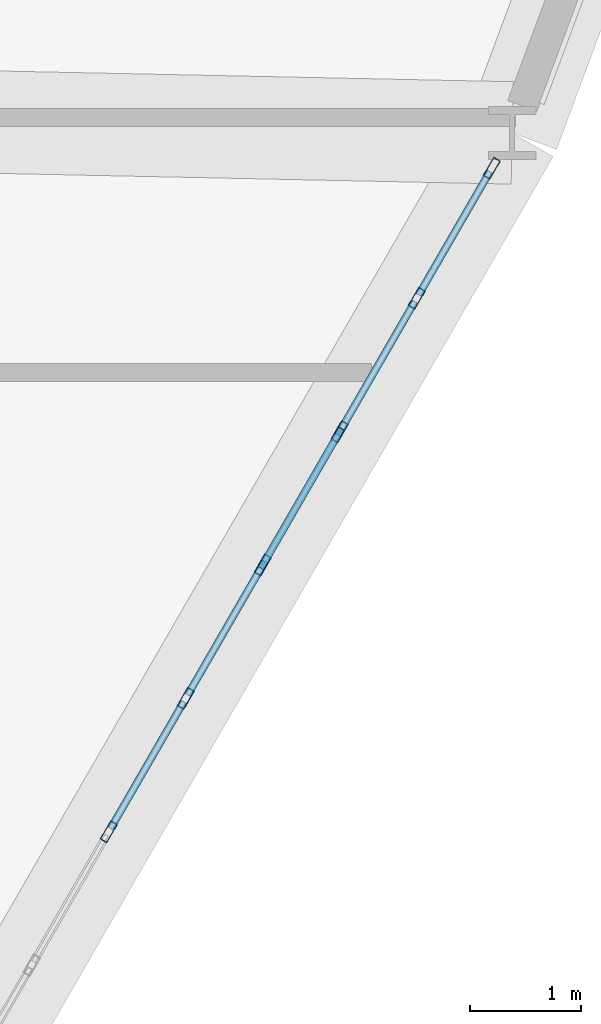
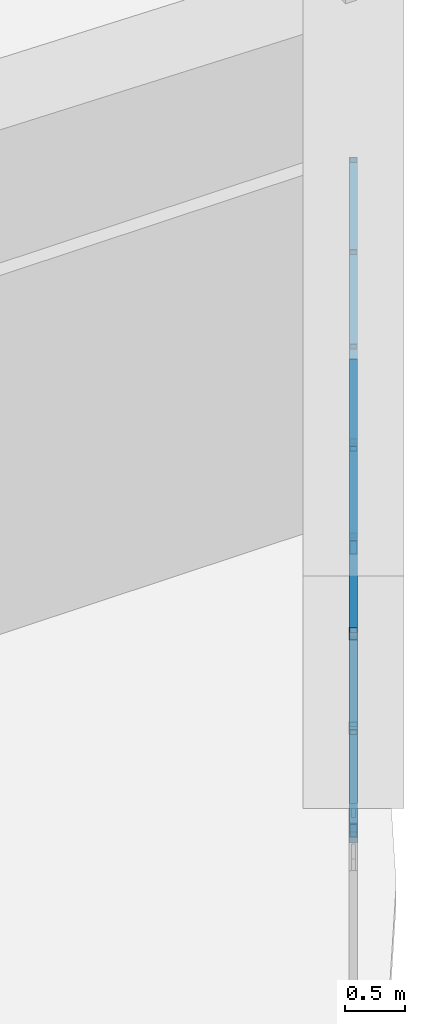
# One storey, part 9 of 20: 17 members, 1 element without a shape of its own.
"""IFC4 building model written with IfcOpenShell, lengths in metres."""

from ifc_helpers import new_model, si_unit, derived_unit, direction, frame, origin, origin_2d, place, context, subcontext, project, spatial, hollow_rectangle, extrude, source, transform, mapped, material, layer, layer_set, material_profile, profile_set, type_object, element, aggregate, save


model = new_model("IFC4")

# Units and contexts
model_context = context("Model", 3, precision=1e-05, world=origin(), true_north=direction((0.0, 1.0)))
body_context = subcontext(model_context, "Body", "Model", "MODEL_VIEW")
ifc_project = project(units=[si_unit("LENGTHUNIT", "METRE"), si_unit("AREAUNIT", "SQUARE_METRE"), si_unit("VOLUMEUNIT", "CUBIC_METRE"), si_unit("PLANEANGLEUNIT", "RADIAN"), si_unit("MASSUNIT", "GRAM", prefix="KILO"), derived_unit("THERMALTRANSMITTANCEUNIT", [(si_unit("POWERUNIT", "WATT"), 1), (si_unit("LENGTHUNIT", "METRE"), -2), (si_unit("THERMODYNAMICTEMPERATUREUNIT", "KELVIN"), -1)])], contexts=[model_context])

# Site, building, storey
site_placement = place(None, origin())
site = spatial("IfcSite", under=ifc_project, at=site_placement, CompositionType="ELEMENT")
building_placement = place(site_placement, origin())
building = spatial("IfcBuilding", under=site, at=building_placement, Name="Korsvarv Bourse and Concert Hall", CompositionType="ELEMENT")
storey_placement = place(building_placement, frame((0.0, 0.0, 35.699951171875)))
storey = spatial("IfcBuildingStorey", under=building, at=storey_placement, Name="L08", CompositionType="ELEMENT", Elevation=35.699951171875)

# Curtain wall, members
ifc_material_1 = material(Name="Anodised aluminium and triple low-E glazing", Category="glass")
ifc_layer = layer(ifc_material_1, 0.219970703125)
ifc_layer_set = layer_set([ifc_layer], Name="Anodised aluminium and triple low-E glazing")
curtain_wall_type = type_object("IfcCurtainWallType", Name="CW-SYS-1", PredefinedType="NOTDEFINED", material=ifc_layer_set)
curtain_wall_placement = place(storey_placement, origin())
curtain_wall = element("IfcCurtainWall", 1, at=curtain_wall_placement, inside=storey, type_object=curtain_wall_type, Name="L08 CW1 curtain wall CW-L08-F11", PredefinedType="NOTDEFINED")
ifc_material_2 = material(Name="Extruded aluminium EN AW-6063 T66", Category="aluminium")
ifc_material_profile_1 = material_profile(ifc_material_2, hollow_rectangle(XDim=0.070068359375, YDim=0.18994140625, WallThickness=0.0048828125, at=origin_2d()), Name="ALU-M 70x190")
ifc_profile_set_1 = profile_set([ifc_material_profile_1], Name="Extruded aluminium EN AW-6063 T66")
member_type_1 = type_object("IfcMemberType", Name="CWM-190", PredefinedType="MULLION", material=ifc_profile_set_1)
shared_shape_1 = source(origin(), body_context, "Body", "SweptSolid", [
    extrude(hollow_rectangle(XDim=0.070068359375, YDim=0.18994140625, WallThickness=0.0048828125, at=origin_2d()), origin(), (0.0, 0.0, 1.0), 2.080078125),
])
member_1_placement = place(storey_placement, frame((54.880126953125, 25.898193359375, 0.0), z_axis=(0.0, 0.0, 1.0), x_axis=(-0.866025616828, 0.499999630998, 0.0)))
member_1 = element("IfcMember", 2, at=member_1_placement, type_object=member_type_1, Name="CW1 mullion 7", PredefinedType="MULLION", context=body_context, shape_type="MappedRepresentation", body=[
    mapped(shared_shape_1, transform((0.0, 0.0, 0.0), scale=1.0)),
])
member_2_placement = place(storey_placement, frame((55.572021484375, 27.096435546875, 0.0), z_axis=(0.0, 0.0, 1.0), x_axis=(-0.866025616828, 0.499999630998, 0.0)))
member_2 = element("IfcMember", 3, at=member_2_placement, type_object=member_type_1, Name="CW1 mullion 8", PredefinedType="MULLION", context=body_context, shape_type="MappedRepresentation", body=[
    mapped(shared_shape_1, transform((0.0, 0.0, 0.0), scale=1.0)),
])
member_3_placement = place(storey_placement, frame((56.263671875, 28.294677734375, 0.0), z_axis=(0.0, 0.0, 1.0), x_axis=(-0.866025616828, 0.499999630998, 0.0)))
member_3 = element("IfcMember", 4, at=member_3_placement, type_object=member_type_1, Name="CW1 mullion 9", PredefinedType="MULLION", context=body_context, shape_type="MappedRepresentation", body=[
    mapped(shared_shape_1, transform((0.0, 0.0, 0.0), scale=1.0)),
])
member_4_placement = place(storey_placement, frame((56.95556640625, 29.492919921875, 0.0), z_axis=(0.0, 0.0, 1.0), x_axis=(-0.866025616828, 0.499999630998, 0.0)))
member_4 = element("IfcMember", 5, at=member_4_placement, type_object=member_type_1, Name="CW1 mullion 10", PredefinedType="MULLION", context=body_context, shape_type="MappedRepresentation", body=[
    mapped(shared_shape_1, transform((0.0, 0.0, 0.0), scale=1.0)),
])
member_5_placement = place(storey_placement, frame((57.647216796875, 30.691162109375, 0.0), z_axis=(0.0, 0.0, 1.0), x_axis=(-0.866025616828, 0.499999630998, 0.0)))
member_5 = element("IfcMember", 6, at=member_5_placement, type_object=member_type_1, Name="CW1 mullion 11", PredefinedType="MULLION", context=body_context, shape_type="MappedRepresentation", body=[
    mapped(shared_shape_1, transform((0.0, 0.0, 0.0), scale=1.0)),
])
member_6_placement = place(storey_placement, frame((58.321533203125, 31.859130859375, 0.0), z_axis=(0.0, 0.0, 1.0), x_axis=(-0.866025616828, 0.499999630998, 0.0)))
member_6 = element("IfcMember", 7, at=member_6_placement, type_object=member_type_1, Name="CW1 mullion 12", PredefinedType="MULLION", context=body_context, shape_type="MappedRepresentation", body=[
    mapped(shared_shape_1, transform((0.0, 0.0, 0.0), scale=1.0)),
])
ifc_material_profile_2 = material_profile(ifc_material_2, hollow_rectangle(XDim=0.06494140625, YDim=0.139892578125, WallThickness=0.00390625, at=origin_2d()), Name="ALU-T 65x140")
ifc_profile_set_2 = profile_set([ifc_material_profile_2], Name="Extruded aluminium EN AW-6063 T66")
member_type_2 = type_object("IfcMemberType", Name="CWT-140", PredefinedType="USERDEFINED", material=ifc_profile_set_2)
shared_shape_2 = source(origin(), body_context, "Body", "SweptSolid", [
    extrude(hollow_rectangle(XDim=0.06494140625, YDim=0.139892578125, WallThickness=0.00390625, at=origin_2d()), origin(), (0.0, 0.0, 1.0), 1.27880859375),
])
member_7_placement = place(storey_placement, frame((57.664794921875, 30.721435546875, 0.032470703125), z_axis=(0.50001992892, 0.866013897511, 0.0), x_axis=(-0.866013897511, 0.50001992892, 0.0)))
member_7 = element("IfcMember", 8, at=member_7_placement, type_object=member_type_2, Name="CW1 transom 11.1", ObjectType="TRANSOM", PredefinedType="USERDEFINED", context=body_context, shape_type="MappedRepresentation", body=[
    mapped(shared_shape_2, transform((0.0, 0.0, 0.0), scale=1.0)),
])
member_8_placement = place(storey_placement, frame((57.664794921875, 30.721435546875, 2.047607421875), z_axis=(0.50001992892, 0.866013897511, 0.0), x_axis=(-0.866013897511, 0.50001992892, 0.0)))
member_8 = element("IfcMember", 9, at=member_8_placement, type_object=member_type_2, Name="CW1 transom 11.2", ObjectType="TRANSOM", PredefinedType="USERDEFINED", context=body_context, shape_type="MappedRepresentation", body=[
    mapped(shared_shape_2, transform((0.0, 0.0, 0.0), scale=1.0)),
])
shared_shape_3 = source(origin(), body_context, "Body", "SweptSolid", [
    extrude(hollow_rectangle(XDim=0.06494140625, YDim=0.139892578125, WallThickness=0.00390625, at=origin_2d()), origin(), (0.0, 0.0, 1.0), 1.313720703125),
])
member_9_placement = place(storey_placement, frame((56.28125, 28.324951171875, 0.032470703125), z_axis=(0.499936960004, 0.866061796884, 0.0), x_axis=(-0.866061796884, 0.499936960004, 0.0)))
member_9 = element("IfcMember", 10, at=member_9_placement, type_object=member_type_2, Name="CW1 transom 9.1", ObjectType="TRANSOM", PredefinedType="USERDEFINED", context=body_context, shape_type="MappedRepresentation", body=[
    mapped(shared_shape_3, transform((0.0, 0.0, 0.0), scale=1.0)),
])
member_10_placement = place(storey_placement, frame((56.28125, 28.324951171875, 2.047607421875), z_axis=(0.499936960004, 0.866061796884, 0.0), x_axis=(-0.866061796884, 0.499936960004, 0.0)))
member_10 = element("IfcMember", 11, at=member_10_placement, type_object=member_type_2, Name="CW1 transom 9.2", ObjectType="TRANSOM", PredefinedType="USERDEFINED", context=body_context, shape_type="MappedRepresentation", body=[
    mapped(shared_shape_3, transform((0.0, 0.0, 0.0), scale=1.0)),
])
member_11_placement = place(storey_placement, frame((56.972900390625, 29.523193359375, 0.032470703125), z_axis=(0.50007633992, 0.865981324425, 0.0), x_axis=(-0.865981324425, 0.50007633992, 0.0)))
member_11 = element("IfcMember", 12, at=member_11_placement, type_object=member_type_2, Name="CW1 transom 10.1", ObjectType="TRANSOM", PredefinedType="USERDEFINED", context=body_context, shape_type="MappedRepresentation", body=[
    mapped(shared_shape_3, transform((0.0, 0.0, 0.0), scale=1.0)),
])
member_12_placement = place(storey_placement, frame((56.972900390625, 29.523193359375, 2.047607421875), z_axis=(0.50007633992, 0.865981324425, 0.0), x_axis=(-0.865981324425, 0.50007633992, 0.0)))
member_12 = element("IfcMember", 13, at=member_12_placement, type_object=member_type_2, Name="CW1 transom 10.2", ObjectType="TRANSOM", PredefinedType="USERDEFINED", context=body_context, shape_type="MappedRepresentation", body=[
    mapped(shared_shape_3, transform((0.0, 0.0, 0.0), scale=1.0)),
])
ifc_material_profile_3 = material_profile(ifc_material_2, hollow_rectangle(XDim=0.06494140625, YDim=0.1650390625, WallThickness=0.0048828125, at=origin_2d()), Name="ALU-M 65x165")
ifc_profile_set_3 = profile_set([ifc_material_profile_3], Name="Extruded aluminium EN AW-6063 T66")
member_type_3 = type_object("IfcMemberType", Name="CWM-165", PredefinedType="MULLION", material=ifc_profile_set_3)
shared_shape_4 = source(origin(), body_context, "Body", "SweptSolid", [
    extrude(hollow_rectangle(XDim=0.06494140625, YDim=0.1650390625, WallThickness=0.0048828125, at=origin_2d()), origin(), (0.0, 0.0, 1.0), 2.351318359375),
])
member_13_placement = place(storey_placement, frame((56.28125, 28.324951171875, 0.06494140625), z_axis=(0.279300861455, 0.483844615011, 0.82938858041), x_axis=(-0.866061796884, 0.499936960004, 0.0)))
member_13 = element("IfcMember", 14, at=member_13_placement, type_object=member_type_3, Name="CW1 diagonal mullion 9", PredefinedType="MULLION", context=body_context, shape_type="MappedRepresentation", body=[
    mapped(shared_shape_4, transform((0.0, 0.0, 0.0), scale=1.0)),
])
shared_shape_5 = source(origin(), body_context, "Body", "SweptSolid", [
    extrude(hollow_rectangle(XDim=0.06494140625, YDim=0.139892578125, WallThickness=0.00390625, at=origin_2d()), origin(), (0.0, 0.0, 1.0), 1.3134765625),
])
member_14_placement = place(storey_placement, frame((54.897705078125, 25.9287109375, 0.032470703125), z_axis=(0.500017439519, 0.866015334839, 0.0), x_axis=(-0.866015334839, 0.500017439519, 0.0)))
member_14 = element("IfcMember", 15, at=member_14_placement, type_object=member_type_2, Name="CW1 transom 7.1", ObjectType="TRANSOM", PredefinedType="USERDEFINED", context=body_context, shape_type="MappedRepresentation", body=[
    mapped(shared_shape_5, transform((0.0, 0.0, 0.0), scale=1.0)),
])
member_15_placement = place(storey_placement, frame((54.897705078125, 25.9287109375, 2.047607421875), z_axis=(0.500017439519, 0.866015334839, 0.0), x_axis=(-0.866015334839, 0.500017439519, 0.0)))
member_15 = element("IfcMember", 16, at=member_15_placement, type_object=member_type_2, Name="CW1 transom 7.2", ObjectType="TRANSOM", PredefinedType="USERDEFINED", context=body_context, shape_type="MappedRepresentation", body=[
    mapped(shared_shape_5, transform((0.0, 0.0, 0.0), scale=1.0)),
])
member_16_placement = place(storey_placement, frame((55.58935546875, 27.126953125, 0.032470703125), z_axis=(0.500156826909, 0.865934840791, 0.0), x_axis=(-0.865934840791, 0.500156826909, 0.0)))
member_16 = element("IfcMember", 17, at=member_16_placement, type_object=member_type_2, Name="CW1 transom 8.1", ObjectType="TRANSOM", PredefinedType="USERDEFINED", context=body_context, shape_type="MappedRepresentation", body=[
    mapped(shared_shape_5, transform((0.0, 0.0, 0.0), scale=1.0)),
])
member_17_placement = place(storey_placement, frame((55.58935546875, 27.126953125, 2.047607421875), z_axis=(0.500156826909, 0.865934840791, 0.0), x_axis=(-0.865934840791, 0.500156826909, 0.0)))
member_17 = element("IfcMember", 18, at=member_17_placement, type_object=member_type_2, Name="CW1 transom 8.2", ObjectType="TRANSOM", PredefinedType="USERDEFINED", context=body_context, shape_type="MappedRepresentation", body=[
    mapped(shared_shape_5, transform((0.0, 0.0, 0.0), scale=1.0)),
])
aggregate(curtain_wall, [member_1, member_2, member_3, member_4, member_5, member_6, member_14, member_15, member_16, member_17, member_9, member_10, member_13, member_11, member_12, member_7, member_8])

save(model, "model.ifc")
